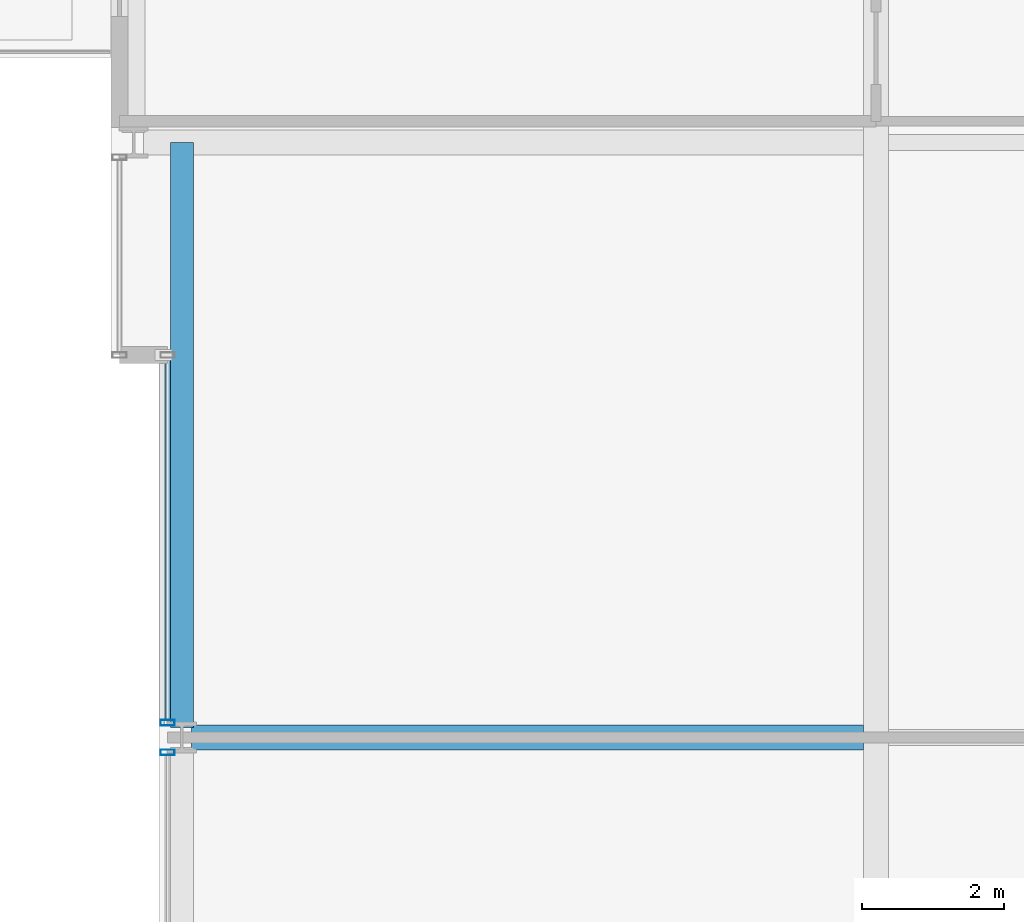
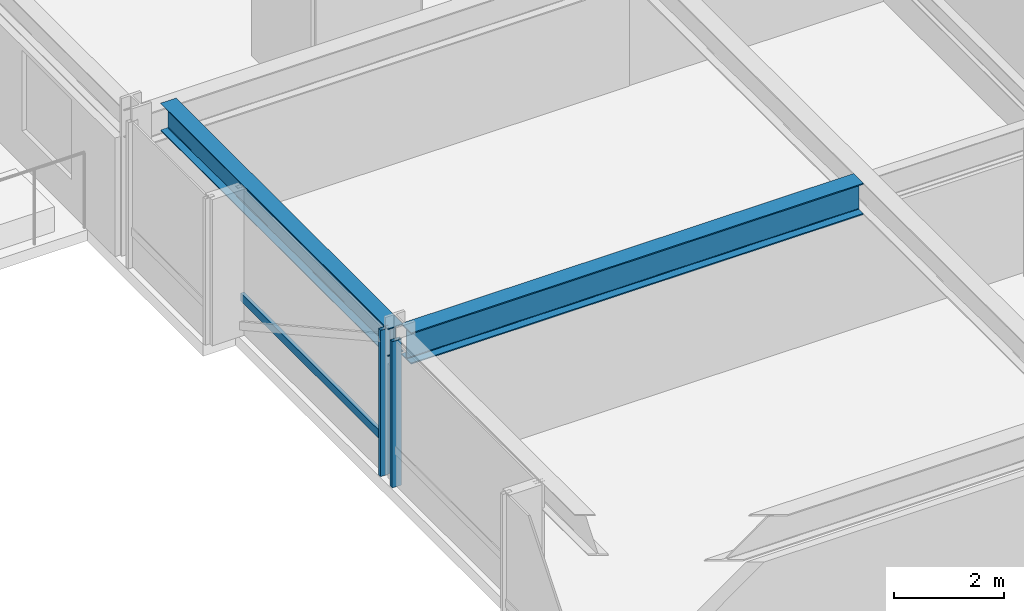
# One storey, part 9 of 35: 3 members, 2 beams, 2 elements without a shape of their own.
"""IFC4 building model written with IfcOpenShell, lengths in metres."""

from ifc_helpers import new_model, si_unit, direction, frame, origin, origin_2d, place, context, subcontext, project, spatial, hollow_rectangle, i_section, extrude, material, layer, layer_set, material_profile, profile_set, type_object, element, aggregate, save


model = new_model("IFC4")

# Units and contexts
model_context = context("Model", 3, precision=1e-05, world=origin(), true_north=direction((0.0, 1.0)))
body_context = subcontext(model_context, "Body", "Model", "MODEL_VIEW")
ifc_project = project(units=[si_unit("LENGTHUNIT", "METRE"), si_unit("AREAUNIT", "SQUARE_METRE"), si_unit("VOLUMEUNIT", "CUBIC_METRE"), si_unit("PLANEANGLEUNIT", "RADIAN"), si_unit("MASSUNIT", "GRAM", prefix="KILO")], contexts=[model_context])

# Site, building, storey
site_placement = place(None, origin())
site = spatial("IfcSite", under=ifc_project, at=site_placement, CompositionType="ELEMENT")
building_placement = place(site_placement, origin())
building = spatial("IfcBuilding", under=site, at=building_placement, Name="Drelvath Grand Hotel", CompositionType="ELEMENT")
storey_placement = place(building_placement, frame((0.0, 0.0, 123.300048828125)))
storey = spatial("IfcBuildingStorey", under=building, at=storey_placement, Name="L31", CompositionType="ELEMENT", Elevation=123.300048828125)

# Curtain wall, member
ifc_material_1 = material(Name="Champagne Bronze Anodised Aluminium Frame", Category="aluminium")
ifc_layer = layer(ifc_material_1, 0.199951171875)
ifc_layer_set = layer_set([ifc_layer], Name="Champagne Bronze Anodised Aluminium Frame")
curtain_wall_type = type_object("IfcCurtainWallType", Name="Stick Curtain Wall CW-03 Champagne Bronze Mid-Rise", PredefinedType="NOTDEFINED", material=ifc_layer_set)
curtain_wall_1_placement = place(storey_placement, origin())
curtain_wall_1 = element("IfcCurtainWall", 1, at=curtain_wall_1_placement, inside=storey, type_object=curtain_wall_type, Name="L31 CW-03 Curtain Wall CW03-L31-WM2", PredefinedType="NOTDEFINED")
ifc_material_profile_1 = material_profile(ifc_material_1, hollow_rectangle(XDim=0.074951171875, YDim=0.179931640625, WallThickness=0.0048828125, at=origin_2d()), Name="HSS180X75X5")
ifc_profile_set_1 = profile_set([ifc_material_profile_1], Name="Champagne Bronze Anodised Aluminium Frame")
member_type_1 = type_object("IfcMemberType", Name="Curtain Wall Horizontal Transom CW-03 HSS180X75X5", PredefinedType="USERDEFINED", material=ifc_profile_set_1)
member_1_placement = place(storey_placement, frame((-26.199951171875, 27.24951171875, 0.81005859375), z_axis=(0.0, 1.0, 0.0), x_axis=(-1.0, 0.0, 0.0)))
member_1 = element("IfcMember", 2, at=member_1_placement, type_object=member_type_1, Name="CW03-L31-WM2 Sill Transom", ObjectType="TRANSOM", PredefinedType="USERDEFINED", context=body_context, shape_type="SweptSolid", body=[
    extrude(hollow_rectangle(XDim=0.074951171875, YDim=0.179931640625, WallThickness=0.0048828125, at=origin_2d()), origin(), (0.0, 0.0, 1.0), 5.110595703125),
])

curtain_wall_2_placement = place(storey_placement, origin())
curtain_wall_2 = element("IfcCurtainWall", 3, at=curtain_wall_2_placement, inside=storey, type_object=curtain_wall_type, Name="L31 CW-03 Curtain Wall CW03-L31-WM1", PredefinedType="NOTDEFINED")
ifc_material_profile_2 = material_profile(ifc_material_1, hollow_rectangle(XDim=0.080078125, YDim=0.199951171875, WallThickness=0.0048828125, at=origin_2d()), Name="HSS200X80X5")
ifc_profile_set_2 = profile_set([ifc_material_profile_2], Name="Champagne Bronze Anodised Aluminium Frame")
member_type_2 = type_object("IfcMemberType", Name="Curtain Wall Vertical Mullion CW-03 HSS200X80X5", PredefinedType="MULLION", material=ifc_profile_set_2)
member_2_placement = place(storey_placement, frame((-26.199951171875, 26.79052734375, 0.0), z_axis=(0.0, 0.0, 1.0), x_axis=(0.0, 1.0, 0.0)))
member_2 = element("IfcMember", 4, at=member_2_placement, type_object=member_type_2, Name="CW03-L31-WM1 Mullion 2", PredefinedType="MULLION", context=body_context, shape_type="SweptSolid", body=[
    extrude(hollow_rectangle(XDim=0.080078125, YDim=0.199951171875, WallThickness=0.0048828125, at=origin_2d()), origin(), (0.0, 0.0, 1.0), 3.239990234375),
])
aggregate(curtain_wall_2, [member_2])

# Member
member_3_placement = place(storey_placement, frame((-26.199951171875, 27.20947265625, 0.0), z_axis=(0.0, 0.0, 1.0), x_axis=(0.0, 1.0, 0.0)))
member_3 = element("IfcMember", 5, at=member_3_placement, type_object=member_type_2, Name="CW03-L31-WM2 Mullion 1", PredefinedType="MULLION", context=body_context, shape_type="SweptSolid", body=[
    extrude(hollow_rectangle(XDim=0.080078125, YDim=0.199951171875, WallThickness=0.0048828125, at=origin_2d()), origin(), (0.0, 0.0, 1.0), 3.239990234375),
])

aggregate(curtain_wall_1, [member_3, member_1])

# Beams
ifc_material_2 = material(Name="Steel ASTM A992 Gr 50", Category="steel")
ifc_material_profile_3 = material_profile(ifc_material_2, i_section(OverallWidth=0.323974609375, OverallDepth=0.611083984375, WebThickness=0.0126953125, FlangeThickness=0.01904296875, FilletRadius=0.02197265625, at=origin_2d()), Name="W24X104")
ifc_profile_set_3 = profile_set([ifc_material_profile_3], Name="Steel ASTM A992 Gr 50")
beam_type_1 = type_object("IfcBeamType", Name="Perimeter Spandrel Beam W24X104", PredefinedType="SPANDREL", material=ifc_profile_set_3)
beam_1_placement = place(storey_placement, frame((-26.0, 27.139892578125, 2.9345703125), z_axis=(0.0, 1.0, 0.0), x_axis=(-1.0, 0.0, 0.0)))
element("IfcBeam", 6, at=beam_1_placement, inside=storey, type_object=beam_type_1, Name="L31 Spandrel West Mid N", PredefinedType="SPANDREL", context=body_context, shape_type="SweptSolid", body=[
    extrude(i_section(OverallWidth=0.323974609375, OverallDepth=0.611083984375, WebThickness=0.0126953125, FlangeThickness=0.01904296875, FilletRadius=0.02197265625, at=origin_2d()), origin(), (0.0, 0.0, 1.0), 8.260009765625),
])
ifc_material_profile_4 = material_profile(ifc_material_2, i_section(OverallWidth=0.354736328125, OverallDepth=0.695556640625, WebThickness=0.015380859375, FlangeThickness=0.025146484375, FilletRadius=0.02392578125, at=origin_2d()), Name="W27X146")
ifc_profile_set_4 = profile_set([ifc_material_profile_4], Name="Steel ASTM A992 Gr 50")
beam_type_2 = type_object("IfcBeamType", Name="Primary Floor Girder W27X146", PredefinedType="BEAM", material=ifc_profile_set_4)
beam_2_placement = place(storey_placement, frame((-25.860107421875, 27.0, 2.892333984375), z_axis=(1.0, 0.0, 0.0), x_axis=(0.0, 1.0, 0.0)))
element("IfcBeam", 7, at=beam_2_placement, inside=storey, type_object=beam_type_2, Name="L31 West Wing Girder E", PredefinedType="BEAM", context=body_context, shape_type="SweptSolid", body=[
    extrude(i_section(OverallWidth=0.354736328125, OverallDepth=0.695556640625, WebThickness=0.015380859375, FlangeThickness=0.025146484375, FilletRadius=0.02392578125, at=origin_2d()), origin(), (0.0, 0.0, 1.0), 9.482666015625),
])

save(model, "model.ifc")
